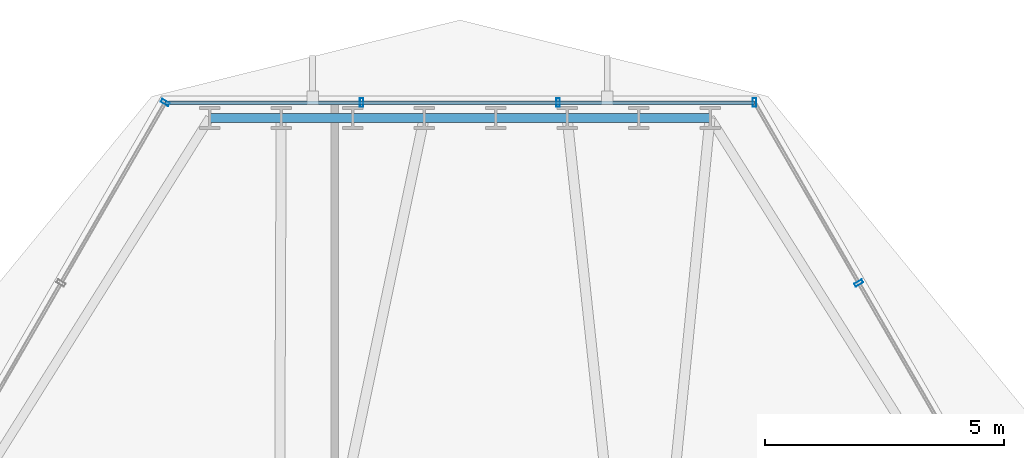
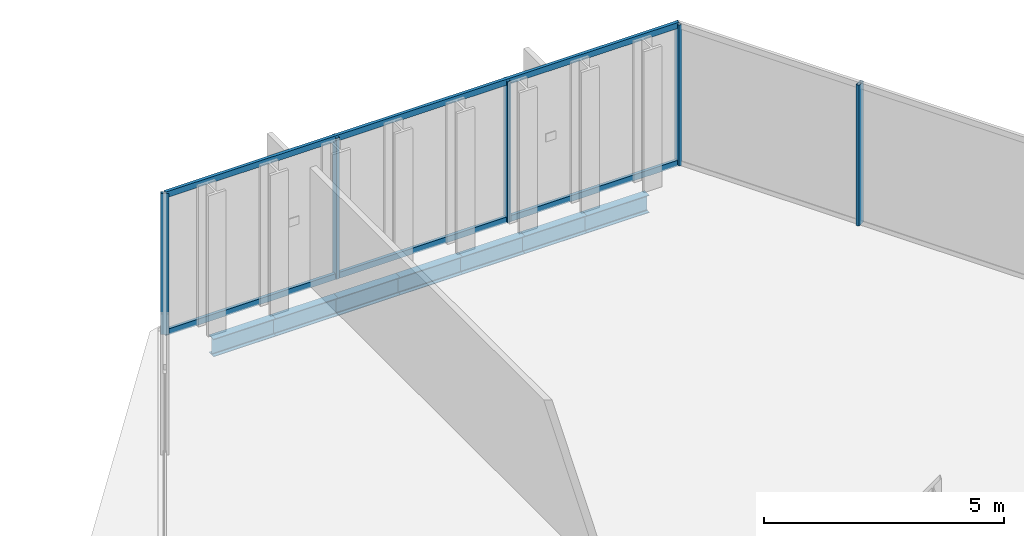
# One storey, part 24 of 36: 7 beams, 7 members, 3 elements without a shape of their own.
"""IFC4 building model written with IfcOpenShell, lengths in metres."""

import ifcopenshell
import ifcopenshell.guid

model = None  # the IFC model being written
_history = None  # IfcOwnerHistory: only IFC2X3 demands one
_inside = {}  # id of a spatial element -> (the spatial element, [elements in it])
_under = {}  # id of a project, library or spatial element -> (it, [spatial elements below it])
_declared = {}  # id of a project -> (the project, [libraries it declares])
_typed = {}  # id of a type object -> (the type object, [elements of that type])
_made_of = {}  # id of a material, layer set ... -> (it, [elements and type objects made of it])


def new_model(schema):
    """Start an empty IFC model of exactly this schema.

    Asked for "IFC4X3", IfcOpenShell would pick the latest addendum, in which some entities
    have other attributes; the version numbers below select the first issue.
    IFC2X3 requires an IfcOwnerHistory on every rooted entity: one is made here for all.
    """
    global model, _history
    if schema == "IFC4X3":
        model = ifcopenshell.file(schema_version=(4, 3, 0, 0))
    else:
        model = ifcopenshell.file(schema=schema)
    _inside.clear()
    _under.clear()
    _declared.clear()
    _typed.clear()
    _made_of.clear()
    _history = None
    if model.schema == "IFC2X3":
        org = make("IfcOrganization", Name="unknown")
        user = make(
            "IfcPersonAndOrganization",
            ThePerson=make("IfcPerson", FamilyName="unknown"),
            TheOrganization=org,
        )
        app = make(
            "IfcApplication",
            ApplicationDeveloper=org,
            Version="unknown",
            ApplicationFullName="unknown",
            ApplicationIdentifier="unknown",
        )
        _history = make(
            "IfcOwnerHistory",
            OwningUser=user,
            OwningApplication=app,
            ChangeAction="ADDED",
            CreationDate=0,
        )
    return model


def make(cls, **values):
    """One entity of the class cls with the attributes given. An attribute that is None is left unset."""
    return model.create_entity(
        cls, **{name: value for name, value in values.items() if value is not None}
    )


def rooted(cls, **values):
    """An entity with a GlobalId (a new one), such as an element, a storey or a relation."""
    return make(cls, GlobalId=ifcopenshell.guid.new(), OwnerHistory=_history, **values)


def si_unit(unit_type, name, prefix=None):
    """IfcSIUnit, for example si_unit("LENGTHUNIT", "METRE", prefix="MILLI")."""
    return make("IfcSIUnit", UnitType=unit_type, Prefix=prefix, Name=name)


def assignment(units):
    """IfcUnitAssignment: the units of a project."""
    return None if units is None else make("IfcUnitAssignment", Units=units)


def point(xyz):
    """IfcCartesianPoint."""
    return None if xyz is None else make("IfcCartesianPoint", Coordinates=xyz)


def direction(xyz):
    """IfcDirection."""
    return None if xyz is None else make("IfcDirection", DirectionRatios=xyz)


def frame(location, z_axis=None, x_axis=None):
    """IfcAxis2Placement3D, a coordinate frame: its origin and axes. An axis left out is left unset."""
    return make(
        "IfcAxis2Placement3D",
        Location=point(location),
        Axis=direction(z_axis),
        RefDirection=direction(x_axis),
    )


def frame_2d(location, x_axis=None):
    """IfcAxis2Placement2D, a coordinate frame in the plane: its origin and x axis."""
    return make(
        "IfcAxis2Placement2D", Location=point(location), RefDirection=direction(x_axis)
    )


def origin():
    """The frame at (0, 0, 0) with its axes left unset."""
    return frame((0.0, 0.0, 0.0))


def origin_2d():
    """The frame at (0, 0) in the plane with its x axis left unset."""
    return frame_2d((0.0, 0.0))


def place(relative_to, where):
    """IfcLocalPlacement: puts the frame where relative to a parent placement (None: the world)."""
    return make(
        "IfcLocalPlacement", PlacementRelTo=relative_to, RelativePlacement=where
    )


def context(
    kind, dimensions, precision=None, world=None, true_north=None, identifier=None
):
    """IfcGeometricRepresentationContext, for example the 3D "Model" context."""
    return make(
        "IfcGeometricRepresentationContext",
        ContextIdentifier=identifier,
        ContextType=kind,
        CoordinateSpaceDimension=dimensions,
        Precision=precision,
        WorldCoordinateSystem=world,
        TrueNorth=true_north,
    )


def subcontext(parent, identifier, kind, view, scale=None):
    """IfcGeometricRepresentationSubContext, for example "Body" below "Model"."""
    return make(
        "IfcGeometricRepresentationSubContext",
        ContextIdentifier=identifier,
        ContextType=kind,
        ParentContext=parent,
        TargetScale=scale,
        TargetView=view,
    )


def project(units=None, contexts=None):
    """IfcProject with its units and contexts."""
    return rooted(
        "IfcProject",
        Name="project",
        RepresentationContexts=contexts,
        UnitsInContext=assignment(units),
    )


def spatial(cls, under=None, at=None, **own):
    """A site, building, storey or space (cls), placed at a placement, below another one or the project."""
    s = rooted(cls, ObjectPlacement=at, **own)
    if under is not None:
        _under.setdefault(under.id(), (under, []))[1].append(s)
    return s


def profile(cls, at=None, kind="AREA", **sizes):
    """A parametric profile (cls). Its sizes go by their IFC names, for example OverallWidth=200.0."""
    return make(cls, ProfileType=kind, Position=at, **sizes)


def hollow_rectangle(**sizes):
    """IfcRectangleHollowProfileDef."""
    return profile("IfcRectangleHollowProfileDef", **sizes)


def i_section(**sizes):
    """IfcIShapeProfileDef."""
    return profile("IfcIShapeProfileDef", **sizes)


def extrude(swept, where, along, depth):
    """IfcExtrudedAreaSolid: the profile swept, set in the frame where, extruded along a direction by depth."""
    return make(
        "IfcExtrudedAreaSolid",
        SweptArea=swept,
        Position=where,
        ExtrudedDirection=direction(along),
        Depth=depth,
    )


def shape(context_of_items, identifier, shape_type, items):
    """IfcShapeRepresentation: the items that make up one representation, for example the "Body"."""
    return make(
        "IfcShapeRepresentation",
        ContextOfItems=context_of_items,
        RepresentationIdentifier=identifier,
        RepresentationType=shape_type,
        Items=items,
    )


def material(Name=None, Category=None):
    """IfcMaterial."""
    return make("IfcMaterial", Name=Name, Category=Category)


def layer(
    of_material, thickness, ventilated=None, Name=None, Category=None, Priority=None
):
    """IfcMaterialLayer: one layer of a wall or slab, of a material (None: an air gap)."""
    return make(
        "IfcMaterialLayer",
        Material=of_material,
        LayerThickness=thickness,
        IsVentilated=ventilated,
        Name=Name,
        Category=Category,
        Priority=Priority,
    )


def layer_set(layers, Name=None):
    """IfcMaterialLayerSet."""
    return make("IfcMaterialLayerSet", MaterialLayers=layers, LayerSetName=Name)


def material_profile(
    of_material, cross_section, Name=None, Category=None, Priority=None
):
    """IfcMaterialProfile: a cross section and its material."""
    return make(
        "IfcMaterialProfile",
        Name=Name,
        Material=of_material,
        Profile=cross_section,
        Priority=Priority,
        Category=Category,
    )


def profile_set(profiles, Name=None, composite=None):
    """IfcMaterialProfileSet."""
    return make(
        "IfcMaterialProfileSet",
        Name=Name,
        MaterialProfiles=profiles,
        CompositeProfile=composite,
    )


def made_of(thing, what):
    """Note that an element or type object is made of a material, layer set ...; save() writes the relation."""
    if what is not None:
        _made_of.setdefault(what.id(), (what, []))[1].append(thing)
    return thing


def type_object(cls, material=None, **own):
    """A type object (cls), such as IfcWallType, which elements share."""
    return made_of(rooted(cls, **own), material)


def element(
    cls,
    number,
    at=None,
    inside=None,
    cuts=None,
    type_object=None,
    material=None,
    context=None,
    identifier="Body",
    shape_type=None,
    held_by="IfcProductDefinitionShape",
    body=None,
    shapes=None,
    **own,
):
    """One element of the class cls, such as IfcWall. Its Tag is "e" and its number.

    at: its placement. inside: the storey or other place that contains it. cuts: it is an
    opening in that element (IfcRelVoidsElement). A single representation is given by context,
    identifier, shape_type and body (its items); several are given by shapes. held_by: the class
    of the entity that holds the representations. save() writes the other relations.
    """
    e = rooted(cls, Tag="e%d" % number, ObjectPlacement=at, **own)
    if body is not None:
        shapes = [shape(context, identifier, shape_type, body)]
    if shapes is not None:
        e.Representation = make(held_by, Representations=shapes)
    if inside is not None:
        _inside.setdefault(inside.id(), (inside, []))[1].append(e)
    if cuts is not None:
        rooted(
            "IfcRelVoidsElement", RelatingBuildingElement=cuts, RelatedOpeningElement=e
        )
    if type_object is not None:
        _typed.setdefault(type_object.id(), (type_object, []))[1].append(e)
    return made_of(e, material)


def aggregate(whole, parts):
    """IfcRelAggregates: a whole, such as a stair, and the parts it consists of."""
    return rooted("IfcRelAggregates", RelatingObject=whole, RelatedObjects=parts)


def save(model, path):
    """Write the relations noted so far, then the file.

    IfcRelAggregates (storeys below a building ...), IfcRelContainedInSpatialStructure (elements
    in a storey), IfcRelDefinesByType, IfcRelAssociatesMaterial and IfcRelDeclares: one each for
    every whole, place, type object, material and project.
    """
    for whole, parts in _under.values():
        aggregate(whole, parts)
    for where, things in _inside.values():
        rooted(
            "IfcRelContainedInSpatialStructure",
            RelatedElements=things,
            RelatingStructure=where,
        )
    for kind, things in _typed.values():
        rooted("IfcRelDefinesByType", RelatedObjects=things, RelatingType=kind)
    for what, things in _made_of.values():
        rooted("IfcRelAssociatesMaterial", RelatedObjects=things, RelatingMaterial=what)
    for by, libraries in _declared.values():
        rooted("IfcRelDeclares", RelatingContext=by, RelatedDefinitions=libraries)
    model.write(path)


model = new_model("IFC4")

# Units and contexts
model_context = context("Model", 3, precision=1e-05, world=origin(), true_north=direction((0.0, 1.0)))
body_context = subcontext(model_context, "Body", "Model", "MODEL_VIEW")
ifc_project = project(units=[si_unit("LENGTHUNIT", "METRE"), si_unit("AREAUNIT", "SQUARE_METRE"), si_unit("VOLUMEUNIT", "CUBIC_METRE"), si_unit("PLANEANGLEUNIT", "RADIAN"), si_unit("MASSUNIT", "GRAM", prefix="KILO")], contexts=[model_context])

# Site, building, storey
site_placement = place(None, origin())
site = spatial("IfcSite", under=ifc_project, at=site_placement, CompositionType="ELEMENT")
building_placement = place(site_placement, origin())
building = spatial("IfcBuilding", under=site, at=building_placement, Name="Ndaravel Arena Tower", CompositionType="ELEMENT")
storey_placement = place(building_placement, frame((0.0, 0.0, 127.0)))
storey = spatial("IfcBuildingStorey", under=building, at=storey_placement, Name="L29", CompositionType="ELEMENT", Elevation=127.0)

# Beams
ifc_material_1 = material(Name="Steel S355", Category="steel")
ifc_material_profile_1 = material_profile(ifc_material_1, i_section(OverallWidth=0.18994140625, OverallDepth=0.449951171875, WebThickness=0.009521484375, FlangeThickness=0.0146484375, FilletRadius=0.02099609375, at=origin_2d()), Name="IPE 450")
ifc_profile_set_1 = profile_set([ifc_material_profile_1], Name="Steel S355")
beam_type = type_object("IfcBeamType", Name="BM-SPAN-IPE450", PredefinedType="SPANDREL", material=ifc_profile_set_1)
beam_1_placement = place(storey_placement, frame((47.234375, 45.736083984375, -0.445068359375), z_axis=(-1.0, 0.0, 0.0), x_axis=(0.0, -1.0, 0.0)))
element("IfcBeam", 1, at=beam_1_placement, inside=storey, type_object=beam_type, Name="L29 Perimeter Spandrel Beam SP-11", PredefinedType="SPANDREL", context=body_context, shape_type="SweptSolid", body=[
    extrude(i_section(OverallWidth=0.18994140625, OverallDepth=0.449951171875, WebThickness=0.009521484375, FlangeThickness=0.0146484375, FilletRadius=0.02099609375, at=origin_2d()), origin(), (0.0, 0.0, 1.0), 1.49560546875),
])
beam_2_placement = place(storey_placement, frame((45.73876953125, 45.736083984375, -0.445068359375), z_axis=(-1.0, 0.0, 0.0), x_axis=(0.0, -1.0, 0.0)))
element("IfcBeam", 2, at=beam_2_placement, inside=storey, type_object=beam_type, Name="L29 Perimeter Spandrel Beam SP-12", PredefinedType="SPANDREL", context=body_context, shape_type="SweptSolid", body=[
    extrude(i_section(OverallWidth=0.18994140625, OverallDepth=0.449951171875, WebThickness=0.009521484375, FlangeThickness=0.0146484375, FilletRadius=0.02099609375, at=origin_2d()), origin(), (0.0, 0.0, 1.0), 1.495361328125),
])
for number, where, z_axis, x_axis, name in (
    (3, (44.243408203125, 45.736083984375, -0.445068359375), (-1.0, 0.0, 0.0), (0.0, -1.0, 0.0), "L29 Perimeter Spandrel Beam SP-13"),
    (4, (42.747802734375, 45.736083984375, -0.445068359375), (-1.0, 0.0, 0.0), (0.0, -1.0, 0.0), "L29 Perimeter Spandrel Beam SP-14"),
    (5, (41.252197265625, 45.736083984375, -0.445068359375), (-1.0, 0.0, 0.0), (0.0, -1.0, 0.0), "L29 Perimeter Spandrel Beam SP-15"),
):
    element("IfcBeam", number, at=place(storey_placement, frame(where, z_axis=z_axis, x_axis=x_axis)), inside=storey, type_object=beam_type, Name=name, PredefinedType="SPANDREL", context=body_context, shape_type="SweptSolid", body=[
        extrude(i_section(OverallWidth=0.18994140625, OverallDepth=0.449951171875, WebThickness=0.009521484375, FlangeThickness=0.0146484375, FilletRadius=0.02099609375, at=origin_2d()), origin(), (0.0, 0.0, 1.0), 1.49560546875),
    ])
beam_3_placement = place(storey_placement, frame((39.756591796875, 45.736083984375, -0.445068359375), z_axis=(-1.0, 0.0, 0.0), x_axis=(0.0, -1.0, 0.0)))
element("IfcBeam", 6, at=beam_3_placement, inside=storey, type_object=beam_type, Name="L29 Perimeter Spandrel Beam SP-16", PredefinedType="SPANDREL", context=body_context, shape_type="SweptSolid", body=[
    extrude(i_section(OverallWidth=0.18994140625, OverallDepth=0.449951171875, WebThickness=0.009521484375, FlangeThickness=0.0146484375, FilletRadius=0.02099609375, at=origin_2d()), origin(), (0.0, 0.0, 1.0), 1.495361328125),
])
beam_4_placement = place(storey_placement, frame((38.26123046875, 45.736083984375, -0.445068359375), z_axis=(-1.0, 0.0, 0.0), x_axis=(0.0, -1.0, 0.0)))
element("IfcBeam", 7, at=beam_4_placement, inside=storey, type_object=beam_type, Name="L29 Perimeter Spandrel Beam SP-17", PredefinedType="SPANDREL", context=body_context, shape_type="SweptSolid", body=[
    extrude(i_section(OverallWidth=0.18994140625, OverallDepth=0.449951171875, WebThickness=0.009521484375, FlangeThickness=0.0146484375, FilletRadius=0.02099609375, at=origin_2d()), origin(), (0.0, 0.0, 1.0), 1.49560546875),
])

# Curtain wall, member
ifc_material_2 = material(Name="Aluminium", Category="aluminium")
ifc_layer_1 = layer(ifc_material_2, 0.179931640625)
ifc_layer_set_1 = layer_set([ifc_layer_1], Name="Aluminium")
curtain_wall_type_1 = type_object("IfcCurtainWallType", Name="CW-SYS-03", PredefinedType="NOTDEFINED", material=ifc_layer_set_1)
curtain_wall_1_placement = place(storey_placement, origin())
curtain_wall_1 = element("IfcCurtainWall", 8, at=curtain_wall_1_placement, inside=storey, type_object=curtain_wall_type_1, Name="L29 Faceted Crystal Curtain Wall CW-L29-E03", PredefinedType="NOTDEFINED")
ifc_material_3 = material(Name="Aluminium", Category="aluminium")
ifc_material_profile_2 = material_profile(ifc_material_3, hollow_rectangle(XDim=0.074951171875, YDim=0.179931640625, WallThickness=0.00390625, at=origin_2d()), Name="CW MULLION 75x180x4")
ifc_profile_set_2 = profile_set([ifc_material_profile_2], Name="Aluminium")
member_type_1 = type_object("IfcMemberType", Name="MEM-CW-MUL180", PredefinedType="MULLION", material=ifc_profile_set_2)
member_1_placement = place(storey_placement, frame((50.347412109375, 42.279296875, 0.0), z_axis=(0.0, 0.0, 1.0), x_axis=(-0.5, 0.866025403784, 0.0)))
member_1 = element("IfcMember", 9, at=member_1_placement, type_object=member_type_1, Name="CW-L29-E03 Mullion 07", PredefinedType="MULLION", context=body_context, shape_type="SweptSolid", body=[
    extrude(hollow_rectangle(XDim=0.074951171875, YDim=0.179931640625, WallThickness=0.00390625, at=origin_2d()), origin(), (0.0, 0.0, 1.0), 3.580078125),
])
aggregate(curtain_wall_1, [member_1])

# Curtain wall, members
ifc_material_4 = material(Name="Aluminium", Category="aluminium")
ifc_layer_2 = layer(ifc_material_4, 0.179931640625)
ifc_layer_set_2 = layer_set([ifc_layer_2], Name="Aluminium")
curtain_wall_type_2 = type_object("IfcCurtainWallType", Name="CW-SYS-01", PredefinedType="NOTDEFINED", material=ifc_layer_set_2)
curtain_wall_2_placement = place(storey_placement, origin())
curtain_wall_2 = element("IfcCurtainWall", 10, at=curtain_wall_2_placement, inside=storey, type_object=curtain_wall_type_2, Name="L29 Faceted Crystal Curtain Wall CW-L29-E04", PredefinedType="NOTDEFINED")
member_2_placement = place(storey_placement, frame((48.166748046875, 46.05615234375, 0.0), z_axis=(0.0, 0.0, 1.0), x_axis=(-1.0, 0.0, 0.0)))
member_2 = element("IfcMember", 11, at=member_2_placement, type_object=member_type_1, Name="CW-L29-E04 Mullion 00", PredefinedType="MULLION", context=body_context, shape_type="SweptSolid", body=[
    extrude(hollow_rectangle(XDim=0.074951171875, YDim=0.179931640625, WallThickness=0.00390625, at=origin_2d()), origin(), (0.0, 0.0, 1.0), 3.580078125),
])
member_3_placement = place(storey_placement, frame((44.0556640625, 46.05615234375, 0.0), z_axis=(0.0, 0.0, 1.0), x_axis=(-1.0, 0.0, 0.0)))
member_3 = element("IfcMember", 12, at=member_3_placement, type_object=member_type_1, Name="CW-L29-E04 Mullion 01", PredefinedType="MULLION", context=body_context, shape_type="SweptSolid", body=[
    extrude(hollow_rectangle(XDim=0.074951171875, YDim=0.179931640625, WallThickness=0.00390625, at=origin_2d()), origin(), (0.0, 0.0, 1.0), 3.580078125),
])
member_4_placement = place(storey_placement, frame((39.9443359375, 46.05615234375, 0.0), z_axis=(0.0, 0.0, 1.0), x_axis=(-1.0, 0.0, 0.0)))
member_4 = element("IfcMember", 13, at=member_4_placement, type_object=member_type_1, Name="CW-L29-E04 Mullion 02", PredefinedType="MULLION", context=body_context, shape_type="SweptSolid", body=[
    extrude(hollow_rectangle(XDim=0.074951171875, YDim=0.179931640625, WallThickness=0.00390625, at=origin_2d()), origin(), (0.0, 0.0, 1.0), 3.580078125),
])

# Curtain wall, member
curtain_wall_3_placement = place(storey_placement, origin())
curtain_wall_3 = element("IfcCurtainWall", 14, at=curtain_wall_3_placement, inside=storey, type_object=curtain_wall_type_1, Name="L29 Faceted Crystal Curtain Wall CW-L29-E05", PredefinedType="NOTDEFINED")
member_5_placement = place(storey_placement, frame((35.833251953125, 46.05615234375, 0.0), z_axis=(0.0, 0.0, 1.0), x_axis=(-0.5, -0.866025403784, 0.0)))
member_5 = element("IfcMember", 15, at=member_5_placement, type_object=member_type_1, Name="CW-L29-E05 Mullion 00", PredefinedType="MULLION", context=body_context, shape_type="SweptSolid", body=[
    extrude(hollow_rectangle(XDim=0.074951171875, YDim=0.179931640625, WallThickness=0.00390625, at=origin_2d()), origin(), (0.0, 0.0, 1.0), 3.580078125),
])
aggregate(curtain_wall_3, [member_5])

# Member
ifc_material_5 = material(Name="Aluminium", Category="aluminium")
ifc_material_profile_3 = material_profile(ifc_material_5, hollow_rectangle(XDim=0.074951171875, YDim=0.14990234375, WallThickness=0.00390625, at=origin_2d()), Name="CW TRANSOM 75x150x4")
ifc_profile_set_3 = profile_set([ifc_material_profile_3], Name="Aluminium")
member_type_2 = type_object("IfcMemberType", Name="MEM-CW-TRN150", PredefinedType="USERDEFINED", material=ifc_profile_set_3)
member_6_placement = place(storey_placement, frame((48.166748046875, 46.05615234375, 0.0400390625), z_axis=(-1.0, 0.0, 0.0), x_axis=(0.0, -1.0, 0.0)))
member_6 = element("IfcMember", 16, at=member_6_placement, type_object=member_type_2, Name="CW-L29-E04 Transom 01", ObjectType="TRANSOM", PredefinedType="USERDEFINED", context=body_context, shape_type="SweptSolid", body=[
    extrude(hollow_rectangle(XDim=0.074951171875, YDim=0.14990234375, WallThickness=0.00390625, at=origin_2d()), origin(), (0.0, 0.0, 1.0), 12.33349609375),
])

member_7_placement = place(storey_placement, frame((48.166748046875, 46.05615234375, 3.5400390625), z_axis=(-1.0, 0.0, 0.0), x_axis=(0.0, -1.0, 0.0)))
member_7 = element("IfcMember", 17, at=member_7_placement, type_object=member_type_2, Name="CW-L29-E04 Transom 02", ObjectType="TRANSOM", PredefinedType="USERDEFINED", context=body_context, shape_type="SweptSolid", body=[
    extrude(hollow_rectangle(XDim=0.074951171875, YDim=0.14990234375, WallThickness=0.00390625, at=origin_2d()), origin(), (0.0, 0.0, 1.0), 12.33349609375),
])

aggregate(curtain_wall_2, [member_2, member_3, member_4, member_6, member_7])

save(model, "model.ifc")
